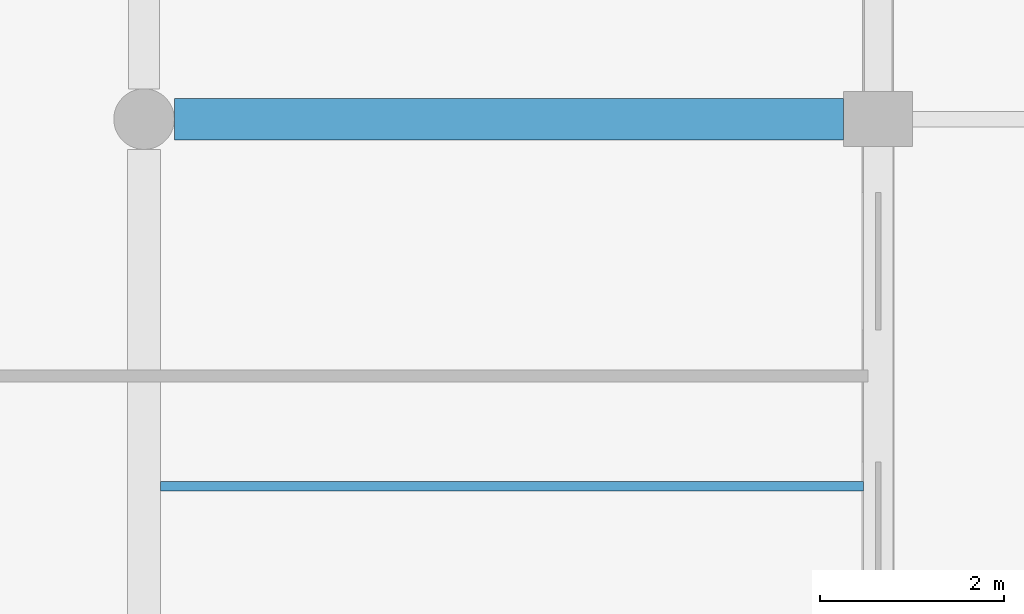
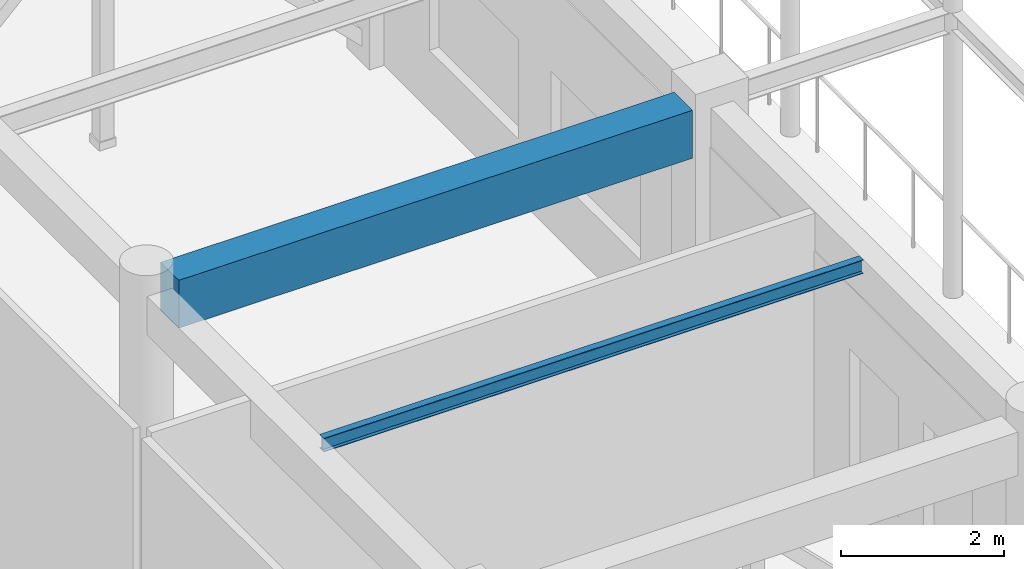
# One storey, part 64 of 160: 2 beams.
"""IFC4 building model written with IfcOpenShell, lengths in metres."""

from ifc_helpers import new_model, si_unit, direction, frame, origin, origin_2d, place, context, subcontext, project, spatial, rectangle, i_section, extrude, material, material_profile, profile_set, type_object, element, save


model = new_model("IFC4")

# Units and contexts
model_context = context("Model", 3, precision=1e-05, world=origin(), true_north=direction((0.0, 1.0)))
body_context = subcontext(model_context, "Body", "Model", "MODEL_VIEW")
ifc_project = project(units=[si_unit("LENGTHUNIT", "METRE"), si_unit("AREAUNIT", "SQUARE_METRE"), si_unit("VOLUMEUNIT", "CUBIC_METRE"), si_unit("PLANEANGLEUNIT", "RADIAN"), si_unit("MASSUNIT", "GRAM", prefix="KILO")], contexts=[model_context])

# Site, building, storey
site_placement = place(None, origin())
site = spatial("IfcSite", under=ifc_project, at=site_placement, CompositionType="ELEMENT")
building_placement = place(site_placement, origin())
building = spatial("IfcBuilding", under=site, at=building_placement, Name="Kharva Crest Polytechnic", CompositionType="ELEMENT")
storey_placement = place(building_placement, frame((0.0, 0.0, 4.5)))
storey = spatial("IfcBuildingStorey", under=building, at=storey_placement, Name="L01", CompositionType="ELEMENT", Elevation=4.5)

# Beams
ifc_material_1 = material(Name="Concrete C35/45", Category="concrete")
ifc_material_profile_1 = material_profile(ifc_material_1, rectangle(XDim=0.449951171875, YDim=0.719970703125, at=origin_2d()), Name="RECT 450 X 720")
ifc_profile_set_1 = profile_set([ifc_material_profile_1], Name="Concrete C35/45")
beam_type_1 = type_object("IfcBeamType", Name="BM-RC-450X720", PredefinedType="BEAM", material=ifc_profile_set_1)
beam_1_placement = place(storey_placement, frame((40.330078125, 70.800048828125, 3.860107421875), z_axis=(1.0, 0.0, 0.0), x_axis=(0.0, 1.0, 0.0)))
element("IfcBeam", 1, at=beam_1_placement, inside=storey, type_object=beam_type_1, Name="L01 Beam K/6-7", PredefinedType="BEAM", context=body_context, shape_type="SweptSolid", body=[
    extrude(rectangle(XDim=0.449951171875, YDim=0.719970703125, at=origin_2d()), origin(), (0.0, 0.0, 1.0), 7.294921875),
])
ifc_material_2 = material(Name="Steel S355", Category="steel")
ifc_material_profile_2 = material_profile(ifc_material_2, i_section(OverallWidth=0.10205078125, OverallDepth=0.2060546875, WebThickness=0.006103515625, FlangeThickness=0.008056640625, at=origin_2d()), Name="W200X22.5")
ifc_profile_set_2 = profile_set([ifc_material_profile_2], Name="Steel S355")
beam_type_2 = type_object("IfcBeamType", Name="BM-STL-W200X22", PredefinedType="JOIST", material=ifc_profile_set_2)
beam_2_placement = place(storey_placement, frame((40.179931640625, 66.800048828125, 4.116943359375), z_axis=(1.0, 0.0, 0.0), x_axis=(0.0, 1.0, 0.0)))
element("IfcBeam", 2, at=beam_2_placement, inside=storey, type_object=beam_type_2, Name="L01 Floor Joist 3", PredefinedType="JOIST", context=body_context, shape_type="SweptSolid", body=[
    extrude(i_section(OverallWidth=0.10205078125, OverallDepth=0.2060546875, WebThickness=0.006103515625, FlangeThickness=0.008056640625, at=origin_2d()), origin(), (0.0, 0.0, 1.0), 7.66015625),
])

save(model, "model.ifc")
